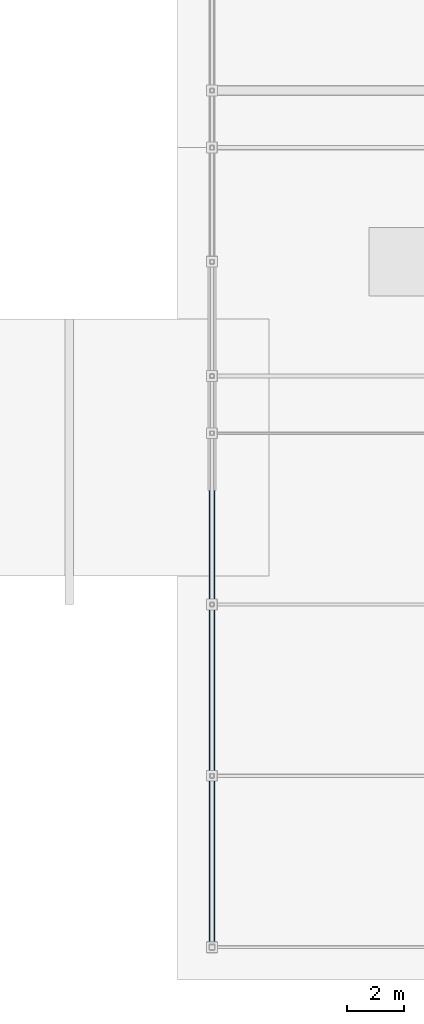
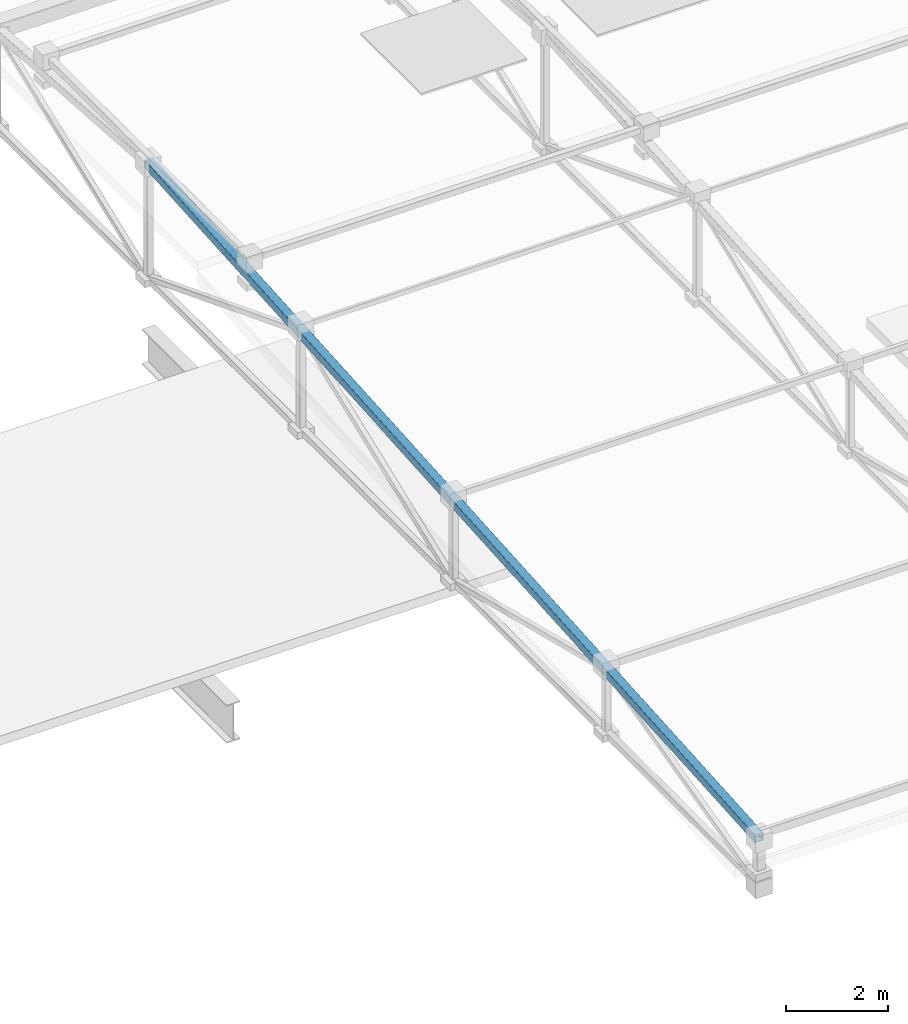
# One storey, part 11 of 85: 1 beam.
"""IFC4 building model written with IfcOpenShell, lengths in metres."""

from ifc_helpers import new_model, si_unit, direction, frame, origin, origin_2d, place, context, subcontext, project, spatial, hollow_rectangle, extrude, material, material_profile, profile_set, type_object, element, save


model = new_model("IFC4")

# Units and contexts
model_context = context("Model", 3, precision=1e-05, world=origin(), true_north=direction((0.0, 1.0)))
body_context = subcontext(model_context, "Body", "Model", "MODEL_VIEW")
ifc_project = project(units=[si_unit("LENGTHUNIT", "METRE"), si_unit("AREAUNIT", "SQUARE_METRE"), si_unit("VOLUMEUNIT", "CUBIC_METRE"), si_unit("PLANEANGLEUNIT", "RADIAN"), si_unit("MASSUNIT", "GRAM", prefix="KILO"), si_unit("THERMODYNAMICTEMPERATUREUNIT", "KELVIN"), si_unit("POWERUNIT", "WATT")], contexts=[model_context])

# Site, building, storey
site_placement = place(None, origin())
site = spatial("IfcSite", under=ifc_project, at=site_placement, CompositionType="ELEMENT")
building_placement = place(site_placement, origin())
building = spatial("IfcBuilding", under=site, at=building_placement, Name="Zelmaris Science Centre", CompositionType="ELEMENT")
storey_placement = place(building_placement, frame((0.0, 0.0, 20.39990234375)))
storey = spatial("IfcBuildingStorey", under=building, at=storey_placement, Name="L04", CompositionType="ELEMENT", Elevation=20.39990234375)

# Beam
ifc_material = material(Name="Steel ASTM A500 Grade C", Category="steel")
ifc_material_profile = material_profile(ifc_material, hollow_rectangle(XDim=0.203125, YDim=0.203125, WallThickness=0.01171875, InnerFilletRadius=0.01171875, OuterFilletRadius=0.023681640625, at=origin_2d()), Name="HSS203X203X13")
ifc_profile_set = profile_set([ifc_material_profile], Name="Steel ASTM A500 Grade C")
beam_type = type_object("IfcBeamType", Name="Beam G-20 HSS203X203X13", PredefinedType="BEAM", material=ifc_profile_set)
beam_placement = place(storey_placement, frame((108.0, 8.0, 2.0478515625), z_axis=(0.0, 0.997644646858, 0.068594158611), x_axis=(-1.0, 0.0, 0.0)))
element("IfcBeam", 1, at=beam_placement, inside=storey, type_object=beam_type, Name="RF-V4 Roof truss 1 south top chord", PredefinedType="BEAM", context=body_context, shape_type="SweptSolid", body=[
    extrude(hollow_rectangle(XDim=0.203125, YDim=0.203125, WallThickness=0.01171875, InnerFilletRadius=0.01171875, OuterFilletRadius=0.023681640625, at=origin_2d()), origin(), (0.0, 0.0, 1.0), 24.056640625),
])

save(model, "model.ifc")
